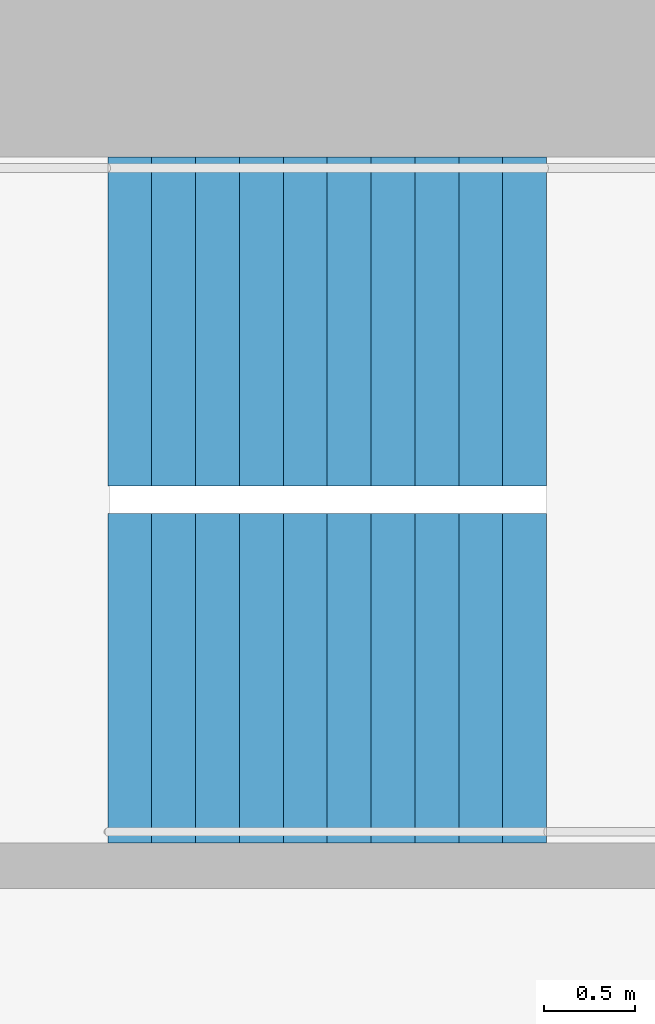
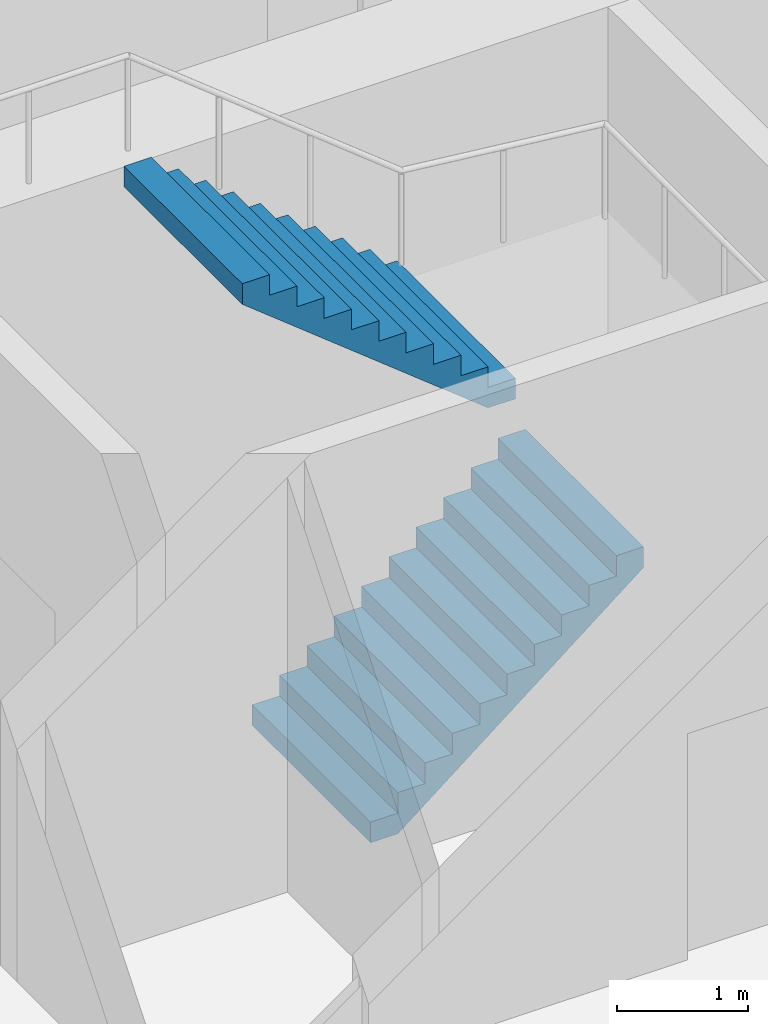
# One storey, part 26 of 28: 2 stair flights, 1 element without a shape of its own.
"""IFC4 building model written with IfcOpenShell, lengths in metres."""

from ifc_helpers import new_model, si_unit, direction, frame, origin, place, context, subcontext, project, spatial, triangles, material, type_object, element, aggregate, save


model = new_model("IFC4")

# Units and contexts
model_context = context("Model", 3, precision=1e-05, world=origin(), true_north=direction((0.0, 1.0)))
body_context = subcontext(model_context, "Body", "Model", "MODEL_VIEW")
ifc_project = project(units=[si_unit("LENGTHUNIT", "METRE"), si_unit("AREAUNIT", "SQUARE_METRE"), si_unit("VOLUMEUNIT", "CUBIC_METRE"), si_unit("PLANEANGLEUNIT", "RADIAN"), si_unit("MASSUNIT", "GRAM", prefix="KILO")], contexts=[model_context])

# Site, building, storey
site_placement = place(None, origin())
site = spatial("IfcSite", under=ifc_project, at=site_placement, CompositionType="ELEMENT")
building_placement = place(site_placement, origin())
building = spatial("IfcBuilding", under=site, at=building_placement, Name="Hakoniwa Tower and Hamabe Station Hall", CompositionType="ELEMENT")
storey_placement = place(building_placement, frame((0.0, 0.0, 280.800048828125)))
storey = spatial("IfcBuildingStorey", under=building, at=storey_placement, Name="L78", CompositionType="ELEMENT", Elevation=280.800048828125)

# Stair, stair flights
ifc_material_1 = material(Name="Concrete C40", Category="concrete")
stair_type = type_object("IfcStairType", Name="ESCAPE STAIR 1800", PredefinedType="HALF_TURN_STAIR", material=ifc_material_1)
stair_placement = place(storey_placement, origin())
stair = element("IfcStair", 1, at=stair_placement, inside=storey, type_object=stair_type, Name="Escape stair ST-1 L78", PredefinedType="HALF_TURN_STAIR")
ifc_material_2 = material(Name="Concrete C40", Category="concrete")
stair_flight_type = type_object("IfcStairFlightType", Name="STAIR FLIGHT 1800", PredefinedType="STRAIGHT", material=ifc_material_2)
stair_flight_1_placement = place(storey_placement, frame((-24.39990234375, 4.64990234375, 0.0), z_axis=(0.0, 0.0, 1.0), x_axis=(1.0, 0.0, 0.0)))
stair_flight_1 = element("IfcStairFlight", 2, at=stair_flight_1_placement, type_object=stair_flight_type, Name="ST-1 flight 1", NumberOfRisers=11, NumberOfTreads=10, PredefinedType="STRAIGHT", RiserHeight=0.190909091, TreadLength=0.24, context=body_context, shape_type="Tessellation", body=[
    triangles([(0.0, 0.89990234375, 0.0), (0.239990234375, 0.89990234375, 0.0), (0.24072265625, 0.89990234375, 0.0), (0.47998046875, 0.89990234375, 0.190185546875), (0.719970703125, 0.89990234375, 0.381103515625), (0.9599609375, 0.89990234375, 0.572021484375), (1.199951171875, 0.89990234375, 0.762939453125), (1.43994140625, 0.89990234375, 0.953857421875), (1.679931640625, 0.89990234375, 1.144775390625), (1.919921875, 0.89990234375, 1.335693359375), (2.159912109375, 0.89990234375, 1.526611328125), (2.39990234375, 0.89990234375, 1.717529296875), (2.39990234375, 0.89990234375, 1.9091796875), (2.159912109375, 0.89990234375, 1.9091796875), (2.159912109375, 0.89990234375, 1.71826171875), (1.919921875, 0.89990234375, 1.71826171875), (1.919921875, 0.89990234375, 1.52734375), (1.679931640625, 0.89990234375, 1.52734375), (1.679931640625, 0.89990234375, 1.33642578125), (1.43994140625, 0.89990234375, 1.33642578125), (1.43994140625, 0.89990234375, 1.1455078125), (1.199951171875, 0.89990234375, 1.1455078125), (1.199951171875, 0.89990234375, 0.95458984375), (0.9599609375, 0.89990234375, 0.95458984375), (0.9599609375, 0.89990234375, 0.763671875), (0.719970703125, 0.89990234375, 0.763671875), (0.719970703125, 0.89990234375, 0.57275390625), (0.47998046875, 0.89990234375, 0.57275390625), (0.47998046875, 0.89990234375, 0.3818359375), (0.24072265625, 0.89990234375, 0.3818359375), (0.239990234375, 0.89990234375, 0.3818359375), (0.239990234375, 0.89990234375, 0.19091796875), (0.0, 0.89990234375, 0.19091796875), (0.0, 0.06005859375, 0.0), (0.239990234375, 0.06005859375, 0.0), (0.24072265625, 0.06005859375, 0.0), (0.47998046875, 0.06005859375, 0.190185546875), (0.719970703125, 0.06005859375, 0.381103515625), (0.9599609375, 0.06005859375, 0.572021484375), (1.199951171875, 0.06005859375, 0.762939453125), (1.43994140625, 0.06005859375, 0.953857421875), (1.679931640625, 0.06005859375, 1.144775390625), (1.919921875, 0.06005859375, 1.335693359375), (2.159912109375, 0.06005859375, 1.526611328125), (2.39990234375, 0.06005859375, 1.717529296875), (2.39990234375, 0.06005859375, 1.9091796875), (2.159912109375, 0.06005859375, 1.9091796875), (2.159912109375, 0.06005859375, 1.71826171875), (1.919921875, 0.06005859375, 1.71826171875), (1.919921875, 0.06005859375, 1.52734375), (1.679931640625, 0.06005859375, 1.52734375), (1.679931640625, 0.06005859375, 1.33642578125), (1.43994140625, 0.06005859375, 1.33642578125), (1.43994140625, 0.06005859375, 1.1455078125), (1.199951171875, 0.06005859375, 1.1455078125), (1.199951171875, 0.06005859375, 0.95458984375), (0.9599609375, 0.06005859375, 0.95458984375), (0.9599609375, 0.06005859375, 0.763671875), (0.719970703125, 0.06005859375, 0.763671875), (0.719970703125, 0.06005859375, 0.57275390625), (0.47998046875, 0.06005859375, 0.57275390625), (0.47998046875, 0.06005859375, 0.3818359375), (0.24072265625, 0.06005859375, 0.3818359375), (0.239990234375, 0.06005859375, 0.3818359375), (0.239990234375, 0.06005859375, 0.19091796875), (0.0, 0.06005859375, 0.19091796875), (0.0, 0.02001953125, 0.0), (0.239990234375, 0.02001953125, 0.0), (0.24072265625, 0.02001953125, 0.0), (0.47998046875, 0.02001953125, 0.190185546875), (0.719970703125, 0.02001953125, 0.381103515625), (0.9599609375, 0.02001953125, 0.572021484375), (1.199951171875, 0.02001953125, 0.762939453125), (1.43994140625, 0.02001953125, 0.953857421875), (1.679931640625, 0.02001953125, 1.144775390625), (1.919921875, 0.02001953125, 1.335693359375), (2.159912109375, 0.02001953125, 1.526611328125), (2.39990234375, 0.02001953125, 1.717529296875), (2.39990234375, 0.02001953125, 1.9091796875), (2.159912109375, 0.02001953125, 1.9091796875), (2.159912109375, 0.02001953125, 1.71826171875), (1.919921875, 0.02001953125, 1.71826171875), (1.919921875, 0.02001953125, 1.52734375), (1.679931640625, 0.02001953125, 1.52734375), (1.679931640625, 0.02001953125, 1.33642578125), (1.43994140625, 0.02001953125, 1.33642578125), (1.43994140625, 0.02001953125, 1.1455078125), (1.199951171875, 0.02001953125, 1.1455078125), (1.199951171875, 0.02001953125, 0.95458984375), (0.9599609375, 0.02001953125, 0.95458984375), (0.9599609375, 0.02001953125, 0.763671875), (0.719970703125, 0.02001953125, 0.763671875), (0.719970703125, 0.02001953125, 0.57275390625), (0.47998046875, 0.02001953125, 0.57275390625), (0.47998046875, 0.02001953125, 0.3818359375), (0.24072265625, 0.02001953125, 0.3818359375), (0.239990234375, 0.02001953125, 0.3818359375), (0.239990234375, 0.02001953125, 0.19091796875), (0.0, 0.02001953125, 0.19091796875), (0.0, -0.02001953125, 0.0), (0.239990234375, -0.02001953125, 0.0), (0.24072265625, -0.02001953125, 0.0), (0.47998046875, -0.02001953125, 0.190185546875), (0.719970703125, -0.02001953125, 0.381103515625), (0.9599609375, -0.02001953125, 0.572021484375), (1.199951171875, -0.02001953125, 0.762939453125), (1.43994140625, -0.02001953125, 0.953857421875), (1.679931640625, -0.02001953125, 1.144775390625), (1.919921875, -0.02001953125, 1.335693359375), (2.159912109375, -0.02001953125, 1.526611328125), (2.39990234375, -0.02001953125, 1.717529296875), (2.39990234375, -0.02001953125, 1.9091796875), (2.159912109375, -0.02001953125, 1.9091796875), (2.159912109375, -0.02001953125, 1.71826171875), (1.919921875, -0.02001953125, 1.71826171875), (1.919921875, -0.02001953125, 1.52734375), (1.679931640625, -0.02001953125, 1.52734375), (1.679931640625, -0.02001953125, 1.33642578125), (1.43994140625, -0.02001953125, 1.33642578125), (1.43994140625, -0.02001953125, 1.1455078125), (1.199951171875, -0.02001953125, 1.1455078125), (1.199951171875, -0.02001953125, 0.95458984375), (0.9599609375, -0.02001953125, 0.95458984375), (0.9599609375, -0.02001953125, 0.763671875), (0.719970703125, -0.02001953125, 0.763671875), (0.719970703125, -0.02001953125, 0.57275390625), (0.47998046875, -0.02001953125, 0.57275390625), (0.47998046875, -0.02001953125, 0.3818359375), (0.24072265625, -0.02001953125, 0.3818359375), (0.239990234375, -0.02001953125, 0.3818359375), (0.239990234375, -0.02001953125, 0.19091796875), (0.0, -0.02001953125, 0.19091796875), (0.0, -0.06005859375, 0.0), (0.239990234375, -0.06005859375, 0.0), (0.24072265625, -0.06005859375, 0.0), (0.47998046875, -0.06005859375, 0.190185546875), (0.719970703125, -0.06005859375, 0.381103515625), (0.9599609375, -0.06005859375, 0.572021484375), (1.199951171875, -0.06005859375, 0.762939453125), (1.43994140625, -0.06005859375, 0.953857421875), (1.679931640625, -0.06005859375, 1.144775390625), (1.919921875, -0.06005859375, 1.335693359375), (2.159912109375, -0.06005859375, 1.526611328125), (2.39990234375, -0.06005859375, 1.717529296875), (2.39990234375, -0.06005859375, 1.9091796875), (2.159912109375, -0.06005859375, 1.9091796875), (2.159912109375, -0.06005859375, 1.71826171875), (1.919921875, -0.06005859375, 1.71826171875), (1.919921875, -0.06005859375, 1.52734375), (1.679931640625, -0.06005859375, 1.52734375), (1.679931640625, -0.06005859375, 1.33642578125), (1.43994140625, -0.06005859375, 1.33642578125), (1.43994140625, -0.06005859375, 1.1455078125), (1.199951171875, -0.06005859375, 1.1455078125), (1.199951171875, -0.06005859375, 0.95458984375), (0.9599609375, -0.06005859375, 0.95458984375), (0.9599609375, -0.06005859375, 0.763671875), (0.719970703125, -0.06005859375, 0.763671875), (0.719970703125, -0.06005859375, 0.57275390625), (0.47998046875, -0.06005859375, 0.57275390625), (0.47998046875, -0.06005859375, 0.3818359375), (0.24072265625, -0.06005859375, 0.3818359375), (0.239990234375, -0.06005859375, 0.3818359375), (0.239990234375, -0.06005859375, 0.19091796875), (0.0, -0.06005859375, 0.19091796875), (0.0, -0.89990234375, 0.0), (0.239990234375, -0.89990234375, 0.0), (0.24072265625, -0.89990234375, 0.0), (0.47998046875, -0.89990234375, 0.190185546875), (0.719970703125, -0.89990234375, 0.381103515625), (0.9599609375, -0.89990234375, 0.572021484375), (1.199951171875, -0.89990234375, 0.762939453125), (1.43994140625, -0.89990234375, 0.953857421875), (1.679931640625, -0.89990234375, 1.144775390625), (1.919921875, -0.89990234375, 1.335693359375), (2.159912109375, -0.89990234375, 1.526611328125), (2.39990234375, -0.89990234375, 1.717529296875), (2.39990234375, -0.89990234375, 1.9091796875), (2.159912109375, -0.89990234375, 1.9091796875), (2.159912109375, -0.89990234375, 1.71826171875), (1.919921875, -0.89990234375, 1.71826171875), (1.919921875, -0.89990234375, 1.52734375), (1.679931640625, -0.89990234375, 1.52734375), (1.679931640625, -0.89990234375, 1.33642578125), (1.43994140625, -0.89990234375, 1.33642578125), (1.43994140625, -0.89990234375, 1.1455078125), (1.199951171875, -0.89990234375, 1.1455078125), (1.199951171875, -0.89990234375, 0.95458984375), (0.9599609375, -0.89990234375, 0.95458984375), (0.9599609375, -0.89990234375, 0.763671875), (0.719970703125, -0.89990234375, 0.763671875), (0.719970703125, -0.89990234375, 0.57275390625), (0.47998046875, -0.89990234375, 0.57275390625), (0.47998046875, -0.89990234375, 0.3818359375), (0.24072265625, -0.89990234375, 0.3818359375), (0.239990234375, -0.89990234375, 0.3818359375), (0.239990234375, -0.89990234375, 0.19091796875), (0.0, -0.89990234375, 0.19091796875)], [[2, 33, 32], [167, 197, 198], [2, 1, 33], [167, 198, 166], [3, 31, 30], [168, 195, 196], [3, 32, 31], [168, 196, 197], [3, 2, 32], [168, 197, 167], [4, 30, 29], [169, 194, 195], [4, 3, 30], [169, 195, 168], [5, 28, 27], [170, 192, 193], [5, 29, 28], [170, 193, 194], [5, 4, 29], [170, 194, 169], [6, 26, 25], [171, 190, 191], [6, 27, 26], [171, 191, 192], [6, 5, 27], [171, 192, 170], [7, 24, 23], [172, 188, 189], [7, 25, 24], [172, 189, 190], [7, 6, 25], [172, 190, 171], [8, 22, 21], [173, 186, 187], [8, 23, 22], [173, 187, 188], [8, 7, 23], [173, 188, 172], [9, 20, 19], [174, 184, 185], [9, 21, 20], [174, 185, 186], [9, 8, 21], [174, 186, 173], [10, 18, 17], [175, 182, 183], [10, 19, 18], [175, 183, 184], [10, 9, 19], [175, 184, 174], [11, 16, 15], [176, 180, 181], [11, 17, 16], [176, 181, 182], [11, 10, 17], [176, 182, 175], [12, 14, 13], [177, 178, 179], [12, 15, 14], [177, 179, 180], [12, 11, 15], [177, 180, 176], [1, 2, 35], [1, 35, 34], [34, 35, 68], [34, 68, 67], [67, 68, 101], [67, 101, 100], [100, 101, 134], [100, 134, 133], [133, 134, 167], [133, 167, 166], [2, 3, 36], [2, 36, 35], [35, 36, 69], [35, 69, 68], [68, 69, 102], [68, 102, 101], [101, 102, 135], [101, 135, 134], [134, 135, 168], [134, 168, 167], [3, 4, 37], [3, 37, 36], [36, 37, 70], [36, 70, 69], [69, 70, 103], [69, 103, 102], [102, 103, 136], [102, 136, 135], [135, 136, 169], [135, 169, 168], [4, 5, 38], [4, 38, 37], [37, 38, 71], [37, 71, 70], [70, 71, 104], [70, 104, 103], [103, 104, 137], [103, 137, 136], [136, 137, 170], [136, 170, 169], [5, 6, 39], [5, 39, 38], [38, 39, 72], [38, 72, 71], [71, 72, 105], [71, 105, 104], [104, 105, 138], [104, 138, 137], [137, 138, 171], [137, 171, 170], [6, 7, 40], [6, 40, 39], [39, 40, 73], [39, 73, 72], [72, 73, 106], [72, 106, 105], [105, 106, 139], [105, 139, 138], [138, 139, 172], [138, 172, 171], [7, 8, 41], [7, 41, 40], [40, 41, 74], [40, 74, 73], [73, 74, 107], [73, 107, 106], [106, 107, 140], [106, 140, 139], [139, 140, 173], [139, 173, 172], [8, 9, 42], [8, 42, 41], [41, 42, 75], [41, 75, 74], [74, 75, 108], [74, 108, 107], [107, 108, 141], [107, 141, 140], [140, 141, 174], [140, 174, 173], [9, 10, 43], [9, 43, 42], [42, 43, 76], [42, 76, 75], [75, 76, 109], [75, 109, 108], [108, 109, 142], [108, 142, 141], [141, 142, 175], [141, 175, 174], [10, 11, 44], [10, 44, 43], [43, 44, 77], [43, 77, 76], [76, 77, 110], [76, 110, 109], [109, 110, 143], [109, 143, 142], [142, 143, 176], [142, 176, 175], [11, 12, 45], [11, 45, 44], [44, 45, 78], [44, 78, 77], [77, 78, 111], [77, 111, 110], [110, 111, 144], [110, 144, 143], [143, 144, 177], [143, 177, 176], [12, 13, 46], [12, 46, 45], [45, 46, 79], [45, 79, 78], [78, 79, 112], [78, 112, 111], [111, 112, 145], [111, 145, 144], [144, 145, 178], [144, 178, 177], [13, 14, 47], [13, 47, 46], [46, 47, 80], [46, 80, 79], [79, 80, 113], [79, 113, 112], [112, 113, 146], [112, 146, 145], [145, 146, 179], [145, 179, 178], [14, 15, 48], [14, 48, 47], [47, 48, 81], [47, 81, 80], [80, 81, 114], [80, 114, 113], [113, 114, 147], [113, 147, 146], [146, 147, 180], [146, 180, 179], [15, 16, 49], [15, 49, 48], [48, 49, 82], [48, 82, 81], [81, 82, 115], [81, 115, 114], [114, 115, 148], [114, 148, 147], [147, 148, 181], [147, 181, 180], [16, 17, 50], [16, 50, 49], [49, 50, 83], [49, 83, 82], [82, 83, 116], [82, 116, 115], [115, 116, 149], [115, 149, 148], [148, 149, 182], [148, 182, 181], [17, 18, 51], [17, 51, 50], [50, 51, 84], [50, 84, 83], [83, 84, 117], [83, 117, 116], [116, 117, 150], [116, 150, 149], [149, 150, 183], [149, 183, 182], [18, 19, 52], [18, 52, 51], [51, 52, 85], [51, 85, 84], [84, 85, 118], [84, 118, 117], [117, 118, 151], [117, 151, 150], [150, 151, 184], [150, 184, 183], [19, 20, 53], [19, 53, 52], [52, 53, 86], [52, 86, 85], [85, 86, 119], [85, 119, 118], [118, 119, 152], [118, 152, 151], [151, 152, 185], [151, 185, 184], [20, 21, 54], [20, 54, 53], [53, 54, 87], [53, 87, 86], [86, 87, 120], [86, 120, 119], [119, 120, 153], [119, 153, 152], [152, 153, 186], [152, 186, 185], [21, 22, 55], [21, 55, 54], [54, 55, 88], [54, 88, 87], [87, 88, 121], [87, 121, 120], [120, 121, 154], [120, 154, 153], [153, 154, 187], [153, 187, 186], [22, 23, 56], [22, 56, 55], [55, 56, 89], [55, 89, 88], [88, 89, 122], [88, 122, 121], [121, 122, 155], [121, 155, 154], [154, 155, 188], [154, 188, 187], [23, 24, 57], [23, 57, 56], [56, 57, 90], [56, 90, 89], [89, 90, 123], [89, 123, 122], [122, 123, 156], [122, 156, 155], [155, 156, 189], [155, 189, 188], [24, 25, 58], [24, 58, 57], [57, 58, 91], [57, 91, 90], [90, 91, 124], [90, 124, 123], [123, 124, 157], [123, 157, 156], [156, 157, 190], [156, 190, 189], [25, 26, 59], [25, 59, 58], [58, 59, 92], [58, 92, 91], [91, 92, 125], [91, 125, 124], [124, 125, 158], [124, 158, 157], [157, 158, 191], [157, 191, 190], [26, 27, 60], [26, 60, 59], [59, 60, 93], [59, 93, 92], [92, 93, 126], [92, 126, 125], [125, 126, 159], [125, 159, 158], [158, 159, 192], [158, 192, 191], [27, 28, 61], [27, 61, 60], [60, 61, 94], [60, 94, 93], [93, 94, 127], [93, 127, 126], [126, 127, 160], [126, 160, 159], [159, 160, 193], [159, 193, 192], [28, 29, 62], [28, 62, 61], [61, 62, 95], [61, 95, 94], [94, 95, 128], [94, 128, 127], [127, 128, 161], [127, 161, 160], [160, 161, 194], [160, 194, 193], [29, 30, 63], [29, 63, 62], [62, 63, 96], [62, 96, 95], [95, 96, 129], [95, 129, 128], [128, 129, 162], [128, 162, 161], [161, 162, 195], [161, 195, 194], [30, 31, 64], [30, 64, 63], [63, 64, 97], [63, 97, 96], [96, 97, 130], [96, 130, 129], [129, 130, 163], [129, 163, 162], [162, 163, 196], [162, 196, 195], [31, 32, 65], [31, 65, 64], [64, 65, 98], [64, 98, 97], [97, 98, 131], [97, 131, 130], [130, 131, 164], [130, 164, 163], [163, 164, 197], [163, 197, 196], [32, 33, 66], [32, 66, 65], [65, 66, 99], [65, 99, 98], [98, 99, 132], [98, 132, 131], [131, 132, 165], [131, 165, 164], [164, 165, 198], [164, 198, 197], [33, 1, 34], [33, 34, 66], [66, 34, 67], [66, 67, 99], [99, 67, 100], [99, 100, 132], [132, 100, 133], [132, 133, 165], [165, 133, 166], [165, 166, 198]], closed=True),
])
stair_flight_2_placement = place(storey_placement, frame((-22.0, 6.60009765625, 2.099853515625), z_axis=(0.0, 0.0, 1.0), x_axis=(-1.0, 0.0, 0.0)))
stair_flight_2 = element("IfcStairFlight", 3, at=stair_flight_2_placement, type_object=stair_flight_type, Name="ST-1 flight 2", NumberOfRisers=11, NumberOfTreads=10, PredefinedType="STRAIGHT", RiserHeight=0.190909091, TreadLength=0.24, context=body_context, shape_type="Tessellation", body=[
    triangles([(0.0, 0.89990234375, 0.0), (0.239990234375, 0.89990234375, 0.0), (0.24072265625, 0.89990234375, 0.0), (0.47998046875, 0.89990234375, 0.190185546875), (0.719970703125, 0.89990234375, 0.381103515625), (0.9599609375, 0.89990234375, 0.572021484375), (1.199951171875, 0.89990234375, 0.762939453125), (1.43994140625, 0.89990234375, 0.953857421875), (1.679931640625, 0.89990234375, 1.144775390625), (1.919921875, 0.89990234375, 1.335693359375), (2.159912109375, 0.89990234375, 1.526611328125), (2.39990234375, 0.89990234375, 1.717529296875), (2.39990234375, 0.89990234375, 1.9091796875), (2.159912109375, 0.89990234375, 1.9091796875), (2.159912109375, 0.89990234375, 1.71826171875), (1.919921875, 0.89990234375, 1.71826171875), (1.919921875, 0.89990234375, 1.52734375), (1.679931640625, 0.89990234375, 1.52734375), (1.679931640625, 0.89990234375, 1.33642578125), (1.43994140625, 0.89990234375, 1.33642578125), (1.43994140625, 0.89990234375, 1.1455078125), (1.199951171875, 0.89990234375, 1.1455078125), (1.199951171875, 0.89990234375, 0.95458984375), (0.9599609375, 0.89990234375, 0.95458984375), (0.9599609375, 0.89990234375, 0.763671875), (0.719970703125, 0.89990234375, 0.763671875), (0.719970703125, 0.89990234375, 0.57275390625), (0.47998046875, 0.89990234375, 0.57275390625), (0.47998046875, 0.89990234375, 0.3818359375), (0.24072265625, 0.89990234375, 0.3818359375), (0.239990234375, 0.89990234375, 0.3818359375), (0.239990234375, 0.89990234375, 0.19091796875), (0.0, 0.89990234375, 0.19091796875), (0.0, 0.06005859375, 0.0), (0.239990234375, 0.06005859375, 0.0), (0.24072265625, 0.06005859375, 0.0), (0.47998046875, 0.06005859375, 0.190185546875), (0.719970703125, 0.06005859375, 0.381103515625), (0.9599609375, 0.06005859375, 0.572021484375), (1.199951171875, 0.06005859375, 0.762939453125), (1.43994140625, 0.06005859375, 0.953857421875), (1.679931640625, 0.06005859375, 1.144775390625), (1.919921875, 0.06005859375, 1.335693359375), (2.159912109375, 0.06005859375, 1.526611328125), (2.39990234375, 0.06005859375, 1.717529296875), (2.39990234375, 0.06005859375, 1.9091796875), (2.159912109375, 0.06005859375, 1.9091796875), (2.159912109375, 0.06005859375, 1.71826171875), (1.919921875, 0.06005859375, 1.71826171875), (1.919921875, 0.06005859375, 1.52734375), (1.679931640625, 0.06005859375, 1.52734375), (1.679931640625, 0.06005859375, 1.33642578125), (1.43994140625, 0.06005859375, 1.33642578125), (1.43994140625, 0.06005859375, 1.1455078125), (1.199951171875, 0.06005859375, 1.1455078125), (1.199951171875, 0.06005859375, 0.95458984375), (0.9599609375, 0.06005859375, 0.95458984375), (0.9599609375, 0.06005859375, 0.763671875), (0.719970703125, 0.06005859375, 0.763671875), (0.719970703125, 0.06005859375, 0.57275390625), (0.47998046875, 0.06005859375, 0.57275390625), (0.47998046875, 0.06005859375, 0.3818359375), (0.24072265625, 0.06005859375, 0.3818359375), (0.239990234375, 0.06005859375, 0.3818359375), (0.239990234375, 0.06005859375, 0.19091796875), (0.0, 0.06005859375, 0.19091796875), (0.0, 0.02001953125, 0.0), (0.239990234375, 0.02001953125, 0.0), (0.24072265625, 0.02001953125, 0.0), (0.47998046875, 0.02001953125, 0.190185546875), (0.719970703125, 0.02001953125, 0.381103515625), (0.9599609375, 0.02001953125, 0.572021484375), (1.199951171875, 0.02001953125, 0.762939453125), (1.43994140625, 0.02001953125, 0.953857421875), (1.679931640625, 0.02001953125, 1.144775390625), (1.919921875, 0.02001953125, 1.335693359375), (2.159912109375, 0.02001953125, 1.526611328125), (2.39990234375, 0.02001953125, 1.717529296875), (2.39990234375, 0.02001953125, 1.9091796875), (2.159912109375, 0.02001953125, 1.9091796875), (2.159912109375, 0.02001953125, 1.71826171875), (1.919921875, 0.02001953125, 1.71826171875), (1.919921875, 0.02001953125, 1.52734375), (1.679931640625, 0.02001953125, 1.52734375), (1.679931640625, 0.02001953125, 1.33642578125), (1.43994140625, 0.02001953125, 1.33642578125), (1.43994140625, 0.02001953125, 1.1455078125), (1.199951171875, 0.02001953125, 1.1455078125), (1.199951171875, 0.02001953125, 0.95458984375), (0.9599609375, 0.02001953125, 0.95458984375), (0.9599609375, 0.02001953125, 0.763671875), (0.719970703125, 0.02001953125, 0.763671875), (0.719970703125, 0.02001953125, 0.57275390625), (0.47998046875, 0.02001953125, 0.57275390625), (0.47998046875, 0.02001953125, 0.3818359375), (0.24072265625, 0.02001953125, 0.3818359375), (0.239990234375, 0.02001953125, 0.3818359375), (0.239990234375, 0.02001953125, 0.19091796875), (0.0, 0.02001953125, 0.19091796875), (0.0, -0.02001953125, 0.0), (0.239990234375, -0.02001953125, 0.0), (0.24072265625, -0.02001953125, 0.0), (0.47998046875, -0.02001953125, 0.190185546875), (0.719970703125, -0.02001953125, 0.381103515625), (0.9599609375, -0.02001953125, 0.572021484375), (1.199951171875, -0.02001953125, 0.762939453125), (1.43994140625, -0.02001953125, 0.953857421875), (1.679931640625, -0.02001953125, 1.144775390625), (1.919921875, -0.02001953125, 1.335693359375), (2.159912109375, -0.02001953125, 1.526611328125), (2.39990234375, -0.02001953125, 1.717529296875), (2.39990234375, -0.02001953125, 1.9091796875), (2.159912109375, -0.02001953125, 1.9091796875), (2.159912109375, -0.02001953125, 1.71826171875), (1.919921875, -0.02001953125, 1.71826171875), (1.919921875, -0.02001953125, 1.52734375), (1.679931640625, -0.02001953125, 1.52734375), (1.679931640625, -0.02001953125, 1.33642578125), (1.43994140625, -0.02001953125, 1.33642578125), (1.43994140625, -0.02001953125, 1.1455078125), (1.199951171875, -0.02001953125, 1.1455078125), (1.199951171875, -0.02001953125, 0.95458984375), (0.9599609375, -0.02001953125, 0.95458984375), (0.9599609375, -0.02001953125, 0.763671875), (0.719970703125, -0.02001953125, 0.763671875), (0.719970703125, -0.02001953125, 0.57275390625), (0.47998046875, -0.02001953125, 0.57275390625), (0.47998046875, -0.02001953125, 0.3818359375), (0.24072265625, -0.02001953125, 0.3818359375), (0.239990234375, -0.02001953125, 0.3818359375), (0.239990234375, -0.02001953125, 0.19091796875), (0.0, -0.02001953125, 0.19091796875), (0.0, -0.06005859375, 0.0), (0.239990234375, -0.06005859375, 0.0), (0.24072265625, -0.06005859375, 0.0), (0.47998046875, -0.06005859375, 0.190185546875), (0.719970703125, -0.06005859375, 0.381103515625), (0.9599609375, -0.06005859375, 0.572021484375), (1.199951171875, -0.06005859375, 0.762939453125), (1.43994140625, -0.06005859375, 0.953857421875), (1.679931640625, -0.06005859375, 1.144775390625), (1.919921875, -0.06005859375, 1.335693359375), (2.159912109375, -0.06005859375, 1.526611328125), (2.39990234375, -0.06005859375, 1.717529296875), (2.39990234375, -0.06005859375, 1.9091796875), (2.159912109375, -0.06005859375, 1.9091796875), (2.159912109375, -0.06005859375, 1.71826171875), (1.919921875, -0.06005859375, 1.71826171875), (1.919921875, -0.06005859375, 1.52734375), (1.679931640625, -0.06005859375, 1.52734375), (1.679931640625, -0.06005859375, 1.33642578125), (1.43994140625, -0.06005859375, 1.33642578125), (1.43994140625, -0.06005859375, 1.1455078125), (1.199951171875, -0.06005859375, 1.1455078125), (1.199951171875, -0.06005859375, 0.95458984375), (0.9599609375, -0.06005859375, 0.95458984375), (0.9599609375, -0.06005859375, 0.763671875), (0.719970703125, -0.06005859375, 0.763671875), (0.719970703125, -0.06005859375, 0.57275390625), (0.47998046875, -0.06005859375, 0.57275390625), (0.47998046875, -0.06005859375, 0.3818359375), (0.24072265625, -0.06005859375, 0.3818359375), (0.239990234375, -0.06005859375, 0.3818359375), (0.239990234375, -0.06005859375, 0.19091796875), (0.0, -0.06005859375, 0.19091796875), (0.0, -0.89990234375, 0.0), (0.239990234375, -0.89990234375, 0.0), (0.24072265625, -0.89990234375, 0.0), (0.47998046875, -0.89990234375, 0.190185546875), (0.719970703125, -0.89990234375, 0.381103515625), (0.9599609375, -0.89990234375, 0.572021484375), (1.199951171875, -0.89990234375, 0.762939453125), (1.43994140625, -0.89990234375, 0.953857421875), (1.679931640625, -0.89990234375, 1.144775390625), (1.919921875, -0.89990234375, 1.335693359375), (2.159912109375, -0.89990234375, 1.526611328125), (2.39990234375, -0.89990234375, 1.717529296875), (2.39990234375, -0.89990234375, 1.9091796875), (2.159912109375, -0.89990234375, 1.9091796875), (2.159912109375, -0.89990234375, 1.71826171875), (1.919921875, -0.89990234375, 1.71826171875), (1.919921875, -0.89990234375, 1.52734375), (1.679931640625, -0.89990234375, 1.52734375), (1.679931640625, -0.89990234375, 1.33642578125), (1.43994140625, -0.89990234375, 1.33642578125), (1.43994140625, -0.89990234375, 1.1455078125), (1.199951171875, -0.89990234375, 1.1455078125), (1.199951171875, -0.89990234375, 0.95458984375), (0.9599609375, -0.89990234375, 0.95458984375), (0.9599609375, -0.89990234375, 0.763671875), (0.719970703125, -0.89990234375, 0.763671875), (0.719970703125, -0.89990234375, 0.57275390625), (0.47998046875, -0.89990234375, 0.57275390625), (0.47998046875, -0.89990234375, 0.3818359375), (0.24072265625, -0.89990234375, 0.3818359375), (0.239990234375, -0.89990234375, 0.3818359375), (0.239990234375, -0.89990234375, 0.19091796875), (0.0, -0.89990234375, 0.19091796875)], [[2, 33, 32], [167, 197, 198], [2, 1, 33], [167, 198, 166], [3, 31, 30], [168, 195, 196], [3, 32, 31], [168, 196, 197], [3, 2, 32], [168, 197, 167], [4, 30, 29], [169, 194, 195], [4, 3, 30], [169, 195, 168], [5, 28, 27], [170, 192, 193], [5, 29, 28], [170, 193, 194], [5, 4, 29], [170, 194, 169], [6, 26, 25], [171, 190, 191], [6, 27, 26], [171, 191, 192], [6, 5, 27], [171, 192, 170], [7, 24, 23], [172, 188, 189], [7, 25, 24], [172, 189, 190], [7, 6, 25], [172, 190, 171], [8, 22, 21], [173, 186, 187], [8, 23, 22], [173, 187, 188], [8, 7, 23], [173, 188, 172], [9, 20, 19], [174, 184, 185], [9, 21, 20], [174, 185, 186], [9, 8, 21], [174, 186, 173], [10, 18, 17], [175, 182, 183], [10, 19, 18], [175, 183, 184], [10, 9, 19], [175, 184, 174], [11, 16, 15], [176, 180, 181], [11, 17, 16], [176, 181, 182], [11, 10, 17], [176, 182, 175], [12, 14, 13], [177, 178, 179], [12, 15, 14], [177, 179, 180], [12, 11, 15], [177, 180, 176], [1, 2, 35], [1, 35, 34], [34, 35, 68], [34, 68, 67], [67, 68, 101], [67, 101, 100], [100, 101, 134], [100, 134, 133], [133, 134, 167], [133, 167, 166], [2, 3, 36], [2, 36, 35], [35, 36, 69], [35, 69, 68], [68, 69, 102], [68, 102, 101], [101, 102, 135], [101, 135, 134], [134, 135, 168], [134, 168, 167], [3, 4, 37], [3, 37, 36], [36, 37, 70], [36, 70, 69], [69, 70, 103], [69, 103, 102], [102, 103, 136], [102, 136, 135], [135, 136, 169], [135, 169, 168], [4, 5, 38], [4, 38, 37], [37, 38, 71], [37, 71, 70], [70, 71, 104], [70, 104, 103], [103, 104, 137], [103, 137, 136], [136, 137, 170], [136, 170, 169], [5, 6, 39], [5, 39, 38], [38, 39, 72], [38, 72, 71], [71, 72, 105], [71, 105, 104], [104, 105, 138], [104, 138, 137], [137, 138, 171], [137, 171, 170], [6, 7, 40], [6, 40, 39], [39, 40, 73], [39, 73, 72], [72, 73, 106], [72, 106, 105], [105, 106, 139], [105, 139, 138], [138, 139, 172], [138, 172, 171], [7, 8, 41], [7, 41, 40], [40, 41, 74], [40, 74, 73], [73, 74, 107], [73, 107, 106], [106, 107, 140], [106, 140, 139], [139, 140, 173], [139, 173, 172], [8, 9, 42], [8, 42, 41], [41, 42, 75], [41, 75, 74], [74, 75, 108], [74, 108, 107], [107, 108, 141], [107, 141, 140], [140, 141, 174], [140, 174, 173], [9, 10, 43], [9, 43, 42], [42, 43, 76], [42, 76, 75], [75, 76, 109], [75, 109, 108], [108, 109, 142], [108, 142, 141], [141, 142, 175], [141, 175, 174], [10, 11, 44], [10, 44, 43], [43, 44, 77], [43, 77, 76], [76, 77, 110], [76, 110, 109], [109, 110, 143], [109, 143, 142], [142, 143, 176], [142, 176, 175], [11, 12, 45], [11, 45, 44], [44, 45, 78], [44, 78, 77], [77, 78, 111], [77, 111, 110], [110, 111, 144], [110, 144, 143], [143, 144, 177], [143, 177, 176], [12, 13, 46], [12, 46, 45], [45, 46, 79], [45, 79, 78], [78, 79, 112], [78, 112, 111], [111, 112, 145], [111, 145, 144], [144, 145, 178], [144, 178, 177], [13, 14, 47], [13, 47, 46], [46, 47, 80], [46, 80, 79], [79, 80, 113], [79, 113, 112], [112, 113, 146], [112, 146, 145], [145, 146, 179], [145, 179, 178], [14, 15, 48], [14, 48, 47], [47, 48, 81], [47, 81, 80], [80, 81, 114], [80, 114, 113], [113, 114, 147], [113, 147, 146], [146, 147, 180], [146, 180, 179], [15, 16, 49], [15, 49, 48], [48, 49, 82], [48, 82, 81], [81, 82, 115], [81, 115, 114], [114, 115, 148], [114, 148, 147], [147, 148, 181], [147, 181, 180], [16, 17, 50], [16, 50, 49], [49, 50, 83], [49, 83, 82], [82, 83, 116], [82, 116, 115], [115, 116, 149], [115, 149, 148], [148, 149, 182], [148, 182, 181], [17, 18, 51], [17, 51, 50], [50, 51, 84], [50, 84, 83], [83, 84, 117], [83, 117, 116], [116, 117, 150], [116, 150, 149], [149, 150, 183], [149, 183, 182], [18, 19, 52], [18, 52, 51], [51, 52, 85], [51, 85, 84], [84, 85, 118], [84, 118, 117], [117, 118, 151], [117, 151, 150], [150, 151, 184], [150, 184, 183], [19, 20, 53], [19, 53, 52], [52, 53, 86], [52, 86, 85], [85, 86, 119], [85, 119, 118], [118, 119, 152], [118, 152, 151], [151, 152, 185], [151, 185, 184], [20, 21, 54], [20, 54, 53], [53, 54, 87], [53, 87, 86], [86, 87, 120], [86, 120, 119], [119, 120, 153], [119, 153, 152], [152, 153, 186], [152, 186, 185], [21, 22, 55], [21, 55, 54], [54, 55, 88], [54, 88, 87], [87, 88, 121], [87, 121, 120], [120, 121, 154], [120, 154, 153], [153, 154, 187], [153, 187, 186], [22, 23, 56], [22, 56, 55], [55, 56, 89], [55, 89, 88], [88, 89, 122], [88, 122, 121], [121, 122, 155], [121, 155, 154], [154, 155, 188], [154, 188, 187], [23, 24, 57], [23, 57, 56], [56, 57, 90], [56, 90, 89], [89, 90, 123], [89, 123, 122], [122, 123, 156], [122, 156, 155], [155, 156, 189], [155, 189, 188], [24, 25, 58], [24, 58, 57], [57, 58, 91], [57, 91, 90], [90, 91, 124], [90, 124, 123], [123, 124, 157], [123, 157, 156], [156, 157, 190], [156, 190, 189], [25, 26, 59], [25, 59, 58], [58, 59, 92], [58, 92, 91], [91, 92, 125], [91, 125, 124], [124, 125, 158], [124, 158, 157], [157, 158, 191], [157, 191, 190], [26, 27, 60], [26, 60, 59], [59, 60, 93], [59, 93, 92], [92, 93, 126], [92, 126, 125], [125, 126, 159], [125, 159, 158], [158, 159, 192], [158, 192, 191], [27, 28, 61], [27, 61, 60], [60, 61, 94], [60, 94, 93], [93, 94, 127], [93, 127, 126], [126, 127, 160], [126, 160, 159], [159, 160, 193], [159, 193, 192], [28, 29, 62], [28, 62, 61], [61, 62, 95], [61, 95, 94], [94, 95, 128], [94, 128, 127], [127, 128, 161], [127, 161, 160], [160, 161, 194], [160, 194, 193], [29, 30, 63], [29, 63, 62], [62, 63, 96], [62, 96, 95], [95, 96, 129], [95, 129, 128], [128, 129, 162], [128, 162, 161], [161, 162, 195], [161, 195, 194], [30, 31, 64], [30, 64, 63], [63, 64, 97], [63, 97, 96], [96, 97, 130], [96, 130, 129], [129, 130, 163], [129, 163, 162], [162, 163, 196], [162, 196, 195], [31, 32, 65], [31, 65, 64], [64, 65, 98], [64, 98, 97], [97, 98, 131], [97, 131, 130], [130, 131, 164], [130, 164, 163], [163, 164, 197], [163, 197, 196], [32, 33, 66], [32, 66, 65], [65, 66, 99], [65, 99, 98], [98, 99, 132], [98, 132, 131], [131, 132, 165], [131, 165, 164], [164, 165, 198], [164, 198, 197], [33, 1, 34], [33, 34, 66], [66, 34, 67], [66, 67, 99], [99, 67, 100], [99, 100, 132], [132, 100, 133], [132, 133, 165], [165, 133, 166], [165, 166, 198]], closed=True),
])
aggregate(stair, [stair_flight_1, stair_flight_2])

save(model, "model.ifc")
